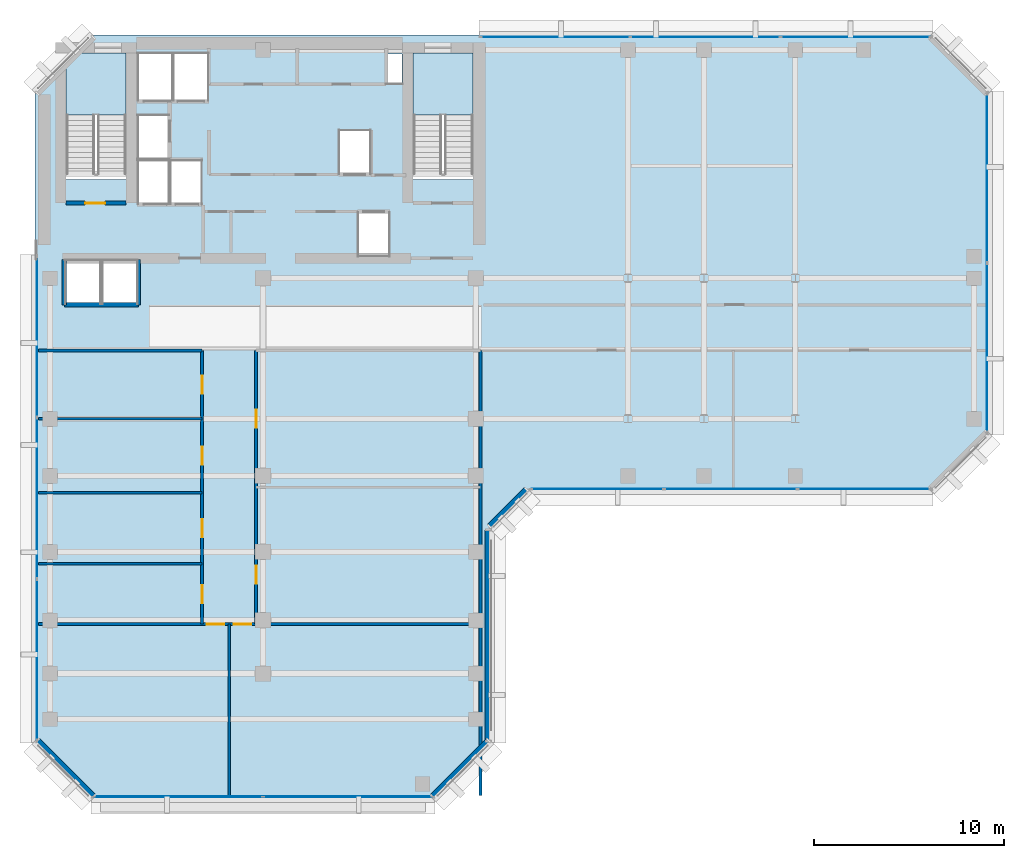
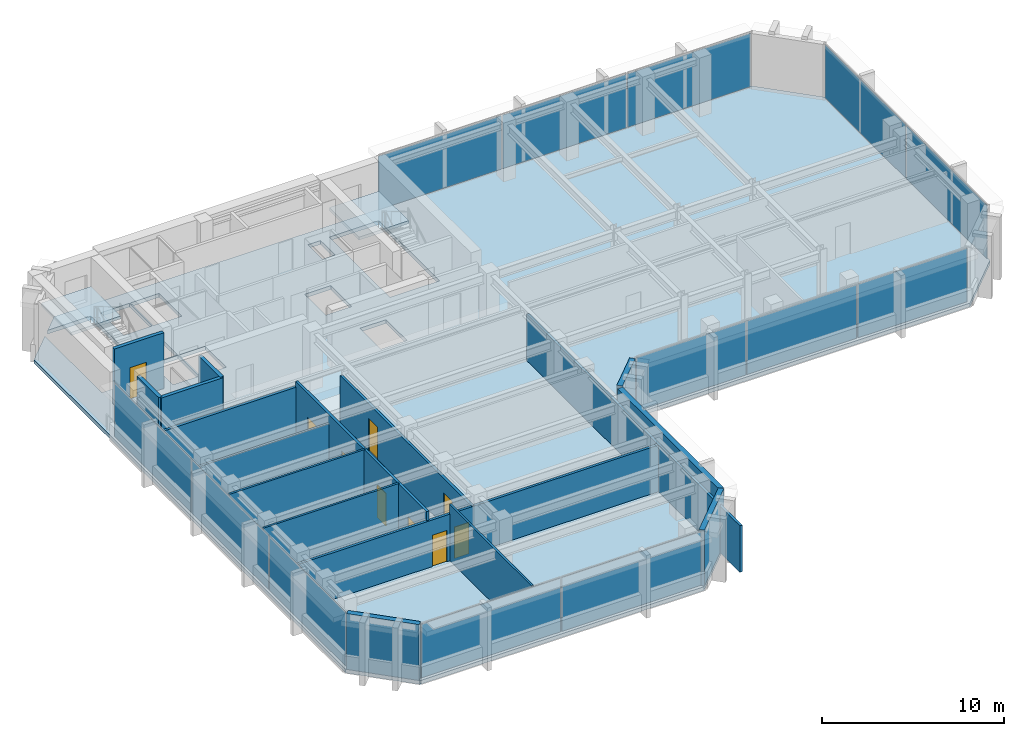
# One storey, part 6 of 12: 17 walls, 13 plates, 9 doors, 3 slabs, 9 openings, 7 elements without a shape of their own.
"""IFC4 building model written with IfcOpenShell, lengths in metres."""

from ifc_helpers import new_model, si_unit, direction, frame, frame_2d, origin, origin_2d, place, context, subcontext, project, spatial, polyline, rectangle, outline, extrude, material, layer, layer_set, type_object, element, fill, aggregate, save


model = new_model("IFC4")

# Units and contexts
model_context = context("Model", 3, precision=1e-05, world=origin(), true_north=direction((0.0, 1.0)))
body_context = subcontext(model_context, "Body", "Model", "MODEL_VIEW")
ifc_project = project(units=[si_unit("LENGTHUNIT", "METRE"), si_unit("AREAUNIT", "SQUARE_METRE"), si_unit("VOLUMEUNIT", "CUBIC_METRE"), si_unit("PLANEANGLEUNIT", "RADIAN"), si_unit("MASSUNIT", "GRAM", prefix="KILO")], contexts=[model_context])

# Site, building, storey
site_placement = place(None, origin())
site = spatial("IfcSite", under=ifc_project, at=site_placement, CompositionType="ELEMENT")
building_placement = place(site_placement, origin())
building = spatial("IfcBuilding", under=site, at=building_placement, Name="Kefirva Bronze Tower", CompositionType="ELEMENT")
storey_placement = place(building_placement, frame((0.0, 0.0, 268.2900390625)))
storey = spatial("IfcBuildingStorey", under=building, at=storey_placement, Name="L65", CompositionType="ELEMENT", Elevation=268.2900390625)

# Stair, slab
ifc_material_1 = material(Name="Concrete C40/50", Category="concrete")
stair_type = type_object("IfcStairType", Name="RC Dogleg Protected Stair 24R", PredefinedType="HALF_TURN_STAIR", material=ifc_material_1)
stair_1_placement = place(storey_placement, origin())
stair_1 = element("IfcStair", 1, at=stair_1_placement, inside=storey, type_object=stair_type, Name="L65 Protected Exit Stair 1", PredefinedType="HALF_TURN_STAIR")
ifc_layer_1 = layer(ifc_material_1, 0.199951171875, Name="Concrete C40/50")
ifc_layer_set_1 = layer_set([ifc_layer_1], Name="Concrete C40/50")
slab_type_1 = type_object("IfcSlabType", Name="RC Stair Landing Slab 200mm", PredefinedType="LANDING", material=ifc_layer_set_1)
slab_1_placement = place(storey_placement, frame((0.0, 0.0, 1.780029296875)))
slab_1 = element("IfcSlab", 2, at=slab_1_placement, type_object=slab_type_1, Name="ST-1 landing 1", PredefinedType="LANDING", context=body_context, shape_type="SweptSolid", body=[
    extrude(outline(polyline([(4.800048828125, 41.780029296875), (4.800048828125, 45.050048828125), (1.64990234375, 45.050048828125), (1.64990234375, 41.780029296875), (4.800048828125, 41.780029296875)])), origin(), (0.0, 0.0, 1.0), 0.199951171875),
])
aggregate(stair_1, [slab_1])

stair_2_placement = place(storey_placement, origin())
stair_2 = element("IfcStair", 3, at=stair_2_placement, inside=storey, type_object=stair_type, Name="L65 Protected Exit Stair 2", PredefinedType="HALF_TURN_STAIR")
slab_2_placement = place(storey_placement, frame((0.0, 0.0, 1.780029296875)))
slab_2 = element("IfcSlab", 4, at=slab_2_placement, type_object=slab_type_1, Name="ST-2 landing 1", PredefinedType="LANDING", context=body_context, shape_type="SweptSolid", body=[
    extrude(outline(polyline([(23.050048828125, 41.780029296875), (23.050048828125, 45.050048828125), (19.89990234375, 45.050048828125), (19.89990234375, 41.780029296875), (23.050048828125, 41.780029296875)])), origin(), (0.0, 0.0, 1.0), 0.199951171875),
])
aggregate(stair_2, [slab_2])

# Slab
ifc_layer_2 = layer(ifc_material_1, 0.25, Name="Concrete C40/50")
ifc_layer_set_2 = layer_set([ifc_layer_2], Name="Concrete C40/50")
slab_type_2 = type_object("IfcSlabType", Name="RC Tower Floor Slab 250mm", PredefinedType="FLOOR", material=ifc_layer_set_2)
slab_3_placement = place(storey_placement, frame((0.0, 0.0, -0.25)))
element("IfcSlab", 5, at=slab_3_placement, inside=storey, type_object=slab_type_2, Name="L65 Structural Floor Slab", PredefinedType="FLOOR", context=body_context, shape_type="SweptSolid", body=[
    extrude(outline(polyline([(0.0, 8.800048828125), (0.0, 43.0), (1.64990234375, 44.64990234375), (1.64990234375, 38.39990234375), (4.800048828125, 38.39990234375), (4.800048828125, 45.050048828125), (2.050048828125, 45.050048828125), (3.0, 46.0), (47.199951171875, 46.0), (50.199951171875, 43.0), (50.199951171875, 25.0), (47.199951171875, 22.0), (26.0, 22.0), (24.0, 20.0), (24.0, 8.800048828125), (21.0, 5.800048828125), (3.0, 5.800048828125), (0.0, 8.800048828125)]), holes=[polyline([(23.050048828125, 45.050048828125), (19.89990234375, 45.050048828125), (19.89990234375, 38.39990234375), (23.050048828125, 38.39990234375), (23.050048828125, 45.050048828125)]), polyline([(19.320068359375, 43.419921875), (19.320068359375, 45.0), (18.52001953125, 45.0), (18.52001953125, 43.419921875), (19.320068359375, 43.419921875)]), polyline([(18.64990234375, 36.64990234375), (17.0, 36.64990234375), (17.0, 34.35009765625), (18.64990234375, 34.35009765625), (18.64990234375, 36.64990234375)]), polyline([(17.64990234375, 38.679931640625), (17.64990234375, 40.97998046875), (16.0, 40.97998046875), (16.0, 38.679931640625), (17.64990234375, 38.679931640625)]), polyline([(9.1201171875, 42.550048828125), (9.1201171875, 45.050048828125), (7.300048828125, 45.050048828125), (7.300048828125, 42.550048828125), (9.1201171875, 42.550048828125)]), polyline([(8.780029296875, 37.10009765625), (8.780029296875, 39.39990234375), (7.139892578125, 39.39990234375), (7.139892578125, 37.10009765625), (8.780029296875, 37.10009765625)]), polyline([(7.239990234375, 42.550048828125), (7.239990234375, 45.050048828125), (5.419921875, 45.050048828125), (5.419921875, 42.550048828125), (7.239990234375, 42.550048828125)]), polyline([(7.06005859375, 37.10009765625), (7.06005859375, 39.39990234375), (5.419921875, 39.39990234375), (5.419921875, 37.10009765625), (7.06005859375, 37.10009765625)]), polyline([(7.06005859375, 41.780029296875), (5.419921875, 41.780029296875), (5.419921875, 39.47998046875), (7.06005859375, 39.47998046875), (7.06005859375, 41.780029296875)]), polyline([(5.39990234375, 31.85009765625), (5.39990234375, 34.14990234375), (3.550048828125, 34.14990234375), (3.550048828125, 31.85009765625), (5.39990234375, 31.85009765625)]), polyline([(3.449951171875, 34.14990234375), (1.60009765625, 34.14990234375), (1.60009765625, 31.85009765625), (3.449951171875, 31.85009765625), (3.449951171875, 34.14990234375)])]), origin(), (0.0, 0.0, 1.0), 0.25),
])

# Curtain wall, plates
ifc_material_2 = material(Name="Bronze anodised aluminium", Category="aluminium")
ifc_layer_3 = layer(ifc_material_2, 0.179931640625, Name="Bronze anodised aluminium")
ifc_layer_set_3 = layer_set([ifc_layer_3], Name="Bronze anodised aluminium")
curtain_wall_type = type_object("IfcCurtainWallType", Name="Unitised Bronze Ribbon Curtain Wall Zone 3", PredefinedType="USERDEFINED", material=ifc_layer_set_3)
curtain_wall_1_placement = place(storey_placement, origin())
curtain_wall_1 = element("IfcCurtainWall", 6, at=curtain_wall_1_placement, inside=storey, type_object=curtain_wall_type, Name="L65 Curtain Wall 1", ObjectType="UNITISED CURTAIN WALL", PredefinedType="USERDEFINED")
ifc_material_3 = material(Name="Laminated low-E double glazing", Category="glass")
ifc_layer_4 = layer(ifc_material_3, 0.031982421875, Name="Laminated low-E double glazing")
ifc_layer_set_4 = layer_set([ifc_layer_4], Name="Laminated low-E double glazing")
plate_type = type_object("IfcPlateType", Name="Solar-Control Low-E Vision Panel 32mm", PredefinedType="CURTAIN_PANEL", material=ifc_layer_set_4)
plate_1_placement = place(storey_placement, frame((7.546142578125, 5.919921875, 0.07470703125), z_axis=(0.0, 0.0, 1.0), x_axis=(1.0, 0.0, 0.0)))
plate_1 = element("IfcPlate", 7, at=plate_1_placement, type_object=plate_type, Name="CW-03 panel 1.1", PredefinedType="CURTAIN_PANEL", context=body_context, shape_type="SweptSolid", body=[
    extrude(rectangle(XDim=8.83251953125, YDim=0.031982421875, at=origin_2d()), origin(), (0.0, 0.0, 1.0), 3.590087890625),
])
plate_2_placement = place(storey_placement, frame((16.453857421875, 5.919921875, 0.07470703125), z_axis=(0.0, 0.0, 1.0), x_axis=(1.0, 0.0, 0.0)))
plate_2 = element("IfcPlate", 8, at=plate_2_placement, type_object=plate_type, Name="CW-03 panel 2.1", PredefinedType="CURTAIN_PANEL", context=body_context, shape_type="SweptSolid", body=[
    extrude(rectangle(XDim=8.83251953125, YDim=0.031982421875, at=origin_2d()), origin(), (0.0, 0.0, 1.0), 3.590087890625),
])
aggregate(curtain_wall_1, [plate_1, plate_2])

curtain_wall_2_placement = place(storey_placement, origin())
curtain_wall_2 = element("IfcCurtainWall", 9, at=curtain_wall_2_placement, inside=storey, type_object=curtain_wall_type, Name="L65 Curtain Wall 2", ObjectType="UNITISED CURTAIN WALL", PredefinedType="USERDEFINED")
plate_3_placement = place(storey_placement, frame((29.5888671875, 22.1201171875, 0.07470703125), z_axis=(0.0, 0.0, 1.0), x_axis=(1.0, 0.0, 0.0)))
plate_3 = element("IfcPlate", 10, at=plate_3_placement, type_object=plate_type, Name="CW-03 panel 1.1", PredefinedType="CURTAIN_PANEL", context=body_context, shape_type="SweptSolid", body=[
    extrude(rectangle(XDim=6.91748046875, YDim=0.031982421875, at=origin_2d()), origin(), (0.0, 0.0, 1.0), 3.590087890625),
])
plate_4_placement = place(storey_placement, frame((36.60009765625, 22.1201171875, 0.07470703125), z_axis=(0.0, 0.0, 1.0), x_axis=(1.0, 0.0, 0.0)))
plate_4 = element("IfcPlate", 11, at=plate_4_placement, type_object=plate_type, Name="CW-03 panel 2.1", PredefinedType="CURTAIN_PANEL", context=body_context, shape_type="SweptSolid", body=[
    extrude(rectangle(XDim=6.955078125, YDim=0.031982421875, at=origin_2d()), origin(), (0.0, 0.0, 1.0), 3.590087890625),
])
plate_5_placement = place(storey_placement, frame((43.611328125, 22.1201171875, 0.07470703125), z_axis=(0.0, 0.0, 1.0), x_axis=(1.0, 0.0, 0.0)))
plate_5 = element("IfcPlate", 12, at=plate_5_placement, type_object=plate_type, Name="CW-03 panel 3.1", PredefinedType="CURTAIN_PANEL", context=body_context, shape_type="SweptSolid", body=[
    extrude(rectangle(XDim=6.91748046875, YDim=0.031982421875, at=origin_2d()), origin(), (0.0, 0.0, 1.0), 3.590087890625),
])
aggregate(curtain_wall_2, [plate_3, plate_4, plate_5])

curtain_wall_3_placement = place(storey_placement, origin())
curtain_wall_3 = element("IfcCurtainWall", 13, at=curtain_wall_3_placement, inside=storey, type_object=curtain_wall_type, Name="L65 Curtain Wall 3", ObjectType="UNITISED CURTAIN WALL", PredefinedType="USERDEFINED")
plate_6_placement = place(storey_placement, frame((50.080078125, 29.546142578125, 0.07470703125), z_axis=(0.0, 0.0, 1.0), x_axis=(0.0, 1.0, 0.0)))
plate_6 = element("IfcPlate", 14, at=plate_6_placement, type_object=plate_type, Name="CW-03 panel 1.1", PredefinedType="CURTAIN_PANEL", context=body_context, shape_type="SweptSolid", body=[
    extrude(rectangle(XDim=8.83251953125, YDim=0.031982421875, at=origin_2d()), origin(), (0.0, 0.0, 1.0), 3.590087890625),
])
plate_7_placement = place(storey_placement, frame((50.080078125, 38.453857421875, 0.07470703125), z_axis=(0.0, 0.0, 1.0), x_axis=(0.0, 1.0, 0.0)))
plate_7 = element("IfcPlate", 15, at=plate_7_placement, type_object=plate_type, Name="CW-03 panel 2.1", PredefinedType="CURTAIN_PANEL", context=body_context, shape_type="SweptSolid", body=[
    extrude(rectangle(XDim=8.83251953125, YDim=0.031982421875, at=origin_2d()), origin(), (0.0, 0.0, 1.0), 3.590087890625),
])
aggregate(curtain_wall_3, [plate_6, plate_7])

curtain_wall_4_placement = place(storey_placement, origin())
curtain_wall_4 = element("IfcCurtainWall", 16, at=curtain_wall_4_placement, inside=storey, type_object=curtain_wall_type, Name="L65 Curtain Wall 4", ObjectType="UNITISED CURTAIN WALL", PredefinedType="USERDEFINED")
plate_8_placement = place(storey_placement, frame((43.169677734375, 45.8798828125, 0.07470703125), z_axis=(0.0, 0.0, 1.0), x_axis=(-1.0, 0.0, 0.0)))
plate_8 = element("IfcPlate", 17, at=plate_8_placement, type_object=plate_type, Name="CW-03 panel 1.1", PredefinedType="CURTAIN_PANEL", context=body_context, shape_type="SweptSolid", body=[
    extrude(rectangle(XDim=7.80078125, YDim=0.031982421875, at=origin_2d()), origin(), (0.0, 0.0, 1.0), 3.590087890625),
])
plate_9_placement = place(storey_placement, frame((35.27490234375, 45.8798828125, 0.07470703125), z_axis=(0.0, 0.0, 1.0), x_axis=(-1.0, 0.0, 0.0)))
plate_9 = element("IfcPlate", 18, at=plate_9_placement, type_object=plate_type, Name="CW-03 panel 2.1", PredefinedType="CURTAIN_PANEL", context=body_context, shape_type="SweptSolid", body=[
    extrude(rectangle(XDim=7.83837890625, YDim=0.031982421875, at=origin_2d()), origin(), (0.0, 0.0, 1.0), 3.590087890625),
])
plate_10_placement = place(storey_placement, frame((27.38037109375, 45.8798828125, 0.07470703125), z_axis=(0.0, 0.0, 1.0), x_axis=(-1.0, 0.0, 0.0)))
plate_10 = element("IfcPlate", 19, at=plate_10_placement, type_object=plate_type, Name="CW-03 panel 3.1", PredefinedType="CURTAIN_PANEL", context=body_context, shape_type="SweptSolid", body=[
    extrude(rectangle(XDim=7.80078125, YDim=0.031982421875, at=origin_2d()), origin(), (0.0, 0.0, 1.0), 3.590087890625),
])
aggregate(curtain_wall_4, [plate_8, plate_9, plate_10])

curtain_wall_5_placement = place(storey_placement, origin())
curtain_wall_5 = element("IfcCurtainWall", 20, at=curtain_wall_5_placement, inside=storey, type_object=curtain_wall_type, Name="L65 Curtain Wall 5", ObjectType="UNITISED CURTAIN WALL", PredefinedType="USERDEFINED")
plate_11_placement = place(storey_placement, frame((0.1201171875, 30.11962890625, 0.07470703125), z_axis=(0.0, 0.0, 1.0), x_axis=(0.0, -1.0, 0.0)))
plate_11 = element("IfcPlate", 21, at=plate_11_placement, type_object=plate_type, Name="CW-03 panel 1.1", PredefinedType="CURTAIN_PANEL", context=body_context, shape_type="SweptSolid", body=[
    extrude(rectangle(XDim=8.40087890625, YDim=0.031982421875, at=origin_2d()), origin(), (0.0, 0.0, 1.0), 3.590087890625),
])
plate_12_placement = place(storey_placement, frame((0.1201171875, 21.625, 0.07470703125), z_axis=(0.0, 0.0, 1.0), x_axis=(0.0, -1.0, 0.0)))
plate_12 = element("IfcPlate", 22, at=plate_12_placement, type_object=plate_type, Name="CW-03 panel 2.1", PredefinedType="CURTAIN_PANEL", context=body_context, shape_type="SweptSolid", body=[
    extrude(rectangle(XDim=8.438232421875, YDim=0.031982421875, at=origin_2d()), origin(), (0.0, 0.0, 1.0), 3.590087890625),
])
plate_13_placement = place(storey_placement, frame((0.1201171875, 13.13037109375, 0.07470703125), z_axis=(0.0, 0.0, 1.0), x_axis=(0.0, -1.0, 0.0)))
plate_13 = element("IfcPlate", 23, at=plate_13_placement, type_object=plate_type, Name="CW-03 panel 3.1", PredefinedType="CURTAIN_PANEL", context=body_context, shape_type="SweptSolid", body=[
    extrude(rectangle(XDim=8.40087890625, YDim=0.031982421875, at=origin_2d()), origin(), (0.0, 0.0, 1.0), 3.590087890625),
])
aggregate(curtain_wall_5, [plate_11, plate_12, plate_13])

# Walls
ifc_material_4 = material(Name="Gypsum acoustic partition")
ifc_layer_5 = layer(ifc_material_4, 0.1298828125, Name="Gypsum acoustic partition")
ifc_layer_set_5 = layer_set([ifc_layer_5], Name="Gypsum acoustic partition")
wall_type_1 = type_object("IfcWallType", Name="Acoustic Office Partition 130mm", PredefinedType="PARTITIONING", material=ifc_layer_set_5)
wall_1_placement = place(storey_placement, frame((10.219970703125, 5.989990234375, 0.0), z_axis=(0.0, 0.0, 1.0), x_axis=(0.0, 1.0, 0.0)))
element("IfcWall", 24, at=wall_1_placement, inside=storey, type_object=wall_type_1, Name="L65 Partition W-L65-CAPDV", PredefinedType="PARTITIONING", context=body_context, shape_type="SweptSolid", body=[
    extrude(rectangle(XDim=9.010009765625, YDim=0.1298828125, at=frame_2d((4.5048828125, 0.0))), origin(), (0.0, 0.0, 1.0), 3.739990234375),
])
for number, where, z_axis, x_axis, name in (
    (25, (0.18994140625, 18.16796875, 0.0), (0.0, 0.0, 1.0), (1.0, 0.0, 0.0), "L65 Partition W-L65-SWD1"),
    (26, (0.18994140625, 21.912109375, 0.0), (0.0, 0.0, 1.0), (1.0, 0.0, 0.0), "L65 Partition W-L65-SWD2"),
):
    element("IfcWall", number, at=place(storey_placement, frame(where, z_axis=z_axis, x_axis=x_axis)), inside=storey, type_object=wall_type_1, Name=name, PredefinedType="PARTITIONING", context=body_context, shape_type="SweptSolid", body=[
        extrude(rectangle(XDim=8.610107421875, YDim=0.1298828125, at=frame_2d((4.30517578125, 0.0))), origin(), (0.0, 0.0, 1.0), 3.739990234375),
    ])
wall_2_placement = place(storey_placement, frame((0.18994140625, 25.800048828125, 0.0), z_axis=(0.0, 0.0, 1.0), x_axis=(1.0, 0.0, 0.0)))
element("IfcWall", 27, at=wall_2_placement, inside=storey, type_object=wall_type_1, Name="L65 Partition W-L65-SWD3", PredefinedType="PARTITIONING", context=body_context, shape_type="SweptSolid", body=[
    extrude(rectangle(XDim=8.610107421875, YDim=0.1298828125, at=frame_2d((4.30517578125, 0.0))), origin(), (0.0, 0.0, 1.0), 3.125),
])

# Wall, opening, door
ifc_material_5 = material(Name="Gypsum fireboard shaftwall")
ifc_layer_6 = layer(ifc_material_5, 0.219970703125, Name="Gypsum fireboard shaftwall")
ifc_layer_set_6 = layer_set([ifc_layer_6], Name="Gypsum fireboard shaftwall")
wall_type_2 = type_object("IfcWallType", Name="Fire-Rated Shaft Enclosure Wall 220mm", PredefinedType="PARTITIONING", material=ifc_layer_set_6)
wall_3_placement = place(storey_placement, frame((1.64990234375, 37.14990234375, 0.0), z_axis=(0.0, 0.0, 1.0), x_axis=(1.0, 0.0, 0.0)))
wall_3 = element("IfcWall", 28, at=wall_3_placement, inside=storey, type_object=wall_type_2, Name="L65 Partition W-L65-ST1S", PredefinedType="PARTITIONING", context=body_context, shape_type="SweptSolid", body=[
    extrude(rectangle(XDim=3.150146484375, YDim=0.219970703125, at=frame_2d((1.5751953125, 0.0))), origin(), (0.0, 0.0, 1.0), 3.739990234375),
])
opening_1_placement = place(wall_3_placement, frame((2.050048828125, 0.0, 0.0), z_axis=(0.0, 0.0, 1.0), x_axis=(-1.0, 0.0, 0.0)))
opening_1 = element("IfcOpeningElement", 29, at=opening_1_placement, cuts=wall_3, Name="Opening L65-D001", PredefinedType="OPENING", context=body_context, shape_type="SweptSolid", body=[
    extrude(rectangle(XDim=1.050048828125, YDim=2.14990234375, at=frame_2d((0.52490234375, 1.074951171875))), frame((0.0, 0.1201171875, 0.0), z_axis=(0.0, -1.0, 0.0), x_axis=(1.0, 0.0, 0.0)), (0.0, 0.0, 1.0), 0.239990234375),
])
ifc_material_6 = material(Name="Painted galvanized steel", Category="steel")
door_type_1 = type_object("IfcDoorType", Name="Fire Stair Enclosure Door 1050x2150 FD90S", OperationType="NOTDEFINED", PredefinedType="DOOR", material=ifc_material_6)
door_1_placement = place(opening_1_placement, origin())
door_1 = element("IfcDoor", 30, at=door_1_placement, inside=storey, type_object=door_type_1, Name="Door L65-D001", OperationType="SINGLE_SWING_LEFT", OverallHeight=2.14990234375, OverallWidth=1.050048828125, PredefinedType="DOOR", context=body_context, shape_type="SweptSolid", body=[
    extrude(rectangle(XDim=1.050048828125, YDim=2.14990234375, at=frame_2d((0.52490234375, 1.074951171875))), frame((0.0, 0.02490234375, 0.0), z_axis=(0.0, -1.0, 0.0), x_axis=(1.0, 0.0, 0.0)), (0.0, 0.0, 1.0), 0.050048828125),
])
fill(opening_1, door_1)

# Walls
wall_4_placement = place(storey_placement, frame((1.550048828125, 31.800048828125, 0.0), z_axis=(0.0, 0.0, 1.0), x_axis=(1.0, 0.0, 0.0)))
element("IfcWall", 31, at=wall_4_placement, inside=storey, type_object=wall_type_2, Name="L65 Partition W-L65-OBS", PredefinedType="PARTITIONING", context=body_context, shape_type="SweptSolid", body=[
    extrude(rectangle(XDim=3.89990234375, YDim=0.219970703125, at=frame_2d((1.949951171875, 0.0))), origin(), (0.0, 0.0, 1.0), 3.739990234375),
])
for number, where, z_axis, x_axis, name in (
    (32, (1.550048828125, 31.800048828125, 0.0), (0.0, 0.0, 1.0), (0.0, 1.0, 0.0), "L65 Partition W-L65-OBW"),
    (33, (5.449951171875, 31.800048828125, 0.0), (0.0, 0.0, 1.0), (0.0, 1.0, 0.0), "L65 Partition W-L65-OBE"),
):
    element("IfcWall", number, at=place(storey_placement, frame(where, z_axis=z_axis, x_axis=x_axis)), inside=storey, type_object=wall_type_2, Name=name, PredefinedType="PARTITIONING", context=body_context, shape_type="SweptSolid", body=[
        extrude(rectangle(XDim=2.3798828125, YDim=0.219970703125, at=frame_2d((1.18994140625, 0.0))), origin(), (0.0, 0.0, 1.0), 3.739990234375),
    ])
ifc_material_7 = material(Name="Precast concrete C40/50", Category="concrete")
ifc_layer_7 = layer(ifc_material_7, 0.320068359375, Name="Precast concrete C40/50")
ifc_layer_set_7 = layer_set([ifc_layer_7], Name="Precast concrete C40/50")
wall_type_3 = type_object("IfcWallType", Name="Precast Insulated Exterior Wall 320mm", PredefinedType="SOLIDWALL", material=ifc_layer_set_7)
wall_5_placement = place(storey_placement, frame((20.92578125, 5.951904296875, 0.0), z_axis=(0.0, 0.0, 1.0), x_axis=(0.707077242712, 0.707136318428, 0.0)))
element("IfcWall", 34, at=wall_5_placement, inside=storey, type_object=wall_type_3, Name="L65 Exterior Facade Wall 1", PredefinedType="SOLIDWALL", context=body_context, shape_type="SweptSolid", body=[
    extrude(rectangle(XDim=4.132568359375, YDim=0.320068359375, at=frame_2d((2.06640625, 0.0))), origin(), (0.0, 0.0, 1.0), 3.739990234375),
])
wall_6_placement = place(storey_placement, frame((23.840087890625, 8.85498046875, 0.0), z_axis=(0.0, 0.0, 1.0), x_axis=(0.0, 1.0, 0.0)))
element("IfcWall", 35, at=wall_6_placement, inside=storey, type_object=wall_type_3, Name="L65 Exterior Facade Wall 2", PredefinedType="SOLIDWALL", context=body_context, shape_type="SweptSolid", body=[
    extrude(rectangle(XDim=11.090087890625, YDim=0.320068359375, at=frame_2d((5.544921875, 0.0))), origin(), (0.0, 0.0, 1.0), 3.739990234375),
])
wall_7_placement = place(storey_placement, frame((23.92578125, 20.152099609375, 0.0), z_axis=(0.0, 0.0, 1.0), x_axis=(0.707106781187, 0.707106781187, 0.0)))
element("IfcWall", 36, at=wall_7_placement, inside=storey, type_object=wall_type_3, Name="L65 Exterior Facade Wall 3", PredefinedType="SOLIDWALL", context=body_context, shape_type="SweptSolid", body=[
    extrude(rectangle(XDim=2.71826171875, YDim=0.320068359375, at=frame_2d((1.359130859375, 0.0))), origin(), (0.0, 0.0, 1.0), 3.739990234375),
])
wall_8_placement = place(storey_placement, frame((0.152099609375, 8.874267578125, 0.0), z_axis=(0.0, 0.0, 1.0), x_axis=(0.707077242712, -0.707136318428, 0.0)))
element("IfcWall", 37, at=wall_8_placement, inside=storey, type_object=wall_type_3, Name="L65 Exterior Facade Wall 7", PredefinedType="SOLIDWALL", context=body_context, shape_type="SweptSolid", body=[
    extrude(rectangle(XDim=4.132568359375, YDim=0.320068359375, at=frame_2d((2.06640625, 0.0))), origin(), (0.0, 0.0, 1.0), 3.739990234375),
])

# Wall, openings, doors
ifc_layer_8 = layer(ifc_material_4, 0.159912109375, Name="Gypsum acoustic partition")
ifc_layer_set_8 = layer_set([ifc_layer_8], Name="Gypsum acoustic partition")
wall_type_4 = type_object("IfcWallType", Name="Protected Corridor Partition 160mm", PredefinedType="PARTITIONING", material=ifc_layer_set_8)
wall_9_placement = place(storey_placement, frame((8.800048828125, 15.0, 0.0), z_axis=(0.0, 0.0, 1.0), x_axis=(0.0, 1.0, 0.0)))
wall_9 = element("IfcWall", 38, at=wall_9_placement, inside=storey, type_object=wall_type_4, Name="L65 Partition W-L65-SWCORW", PredefinedType="PARTITIONING", context=body_context, shape_type="SweptSolid", body=[
    extrude(rectangle(XDim=14.39990234375, YDim=0.159912109375, at=frame_2d((7.199951171875, 0.0))), origin(), (0.0, 0.0, 1.0), 3.739990234375),
])
opening_2_placement = place(wall_9_placement, frame((2.058837890625, 0.0, 0.0), z_axis=(0.0, 0.0, 1.0), x_axis=(-1.0, 0.0, 0.0)))
opening_2 = element("IfcOpeningElement", 39, at=opening_2_placement, cuts=wall_9, Name="Opening L65-D-SW1", PredefinedType="OPENING", context=body_context, shape_type="SweptSolid", body=[
    extrude(rectangle(XDim=0.949951171875, YDim=2.14990234375, at=frame_2d((0.47509765625, 1.074951171875))), frame((0.0, 0.08984375, 0.0), z_axis=(0.0, -1.0, 0.0), x_axis=(1.0, 0.0, 0.0)), (0.0, 0.0, 1.0), 0.179931640625),
])
opening_3_placement = place(wall_9_placement, frame((5.514892578125, 0.0, 0.0), z_axis=(0.0, 0.0, 1.0), x_axis=(-1.0, 0.0, 0.0)))
opening_3 = element("IfcOpeningElement", 40, at=opening_3_placement, cuts=wall_9, Name="Opening L65-D-SW2", PredefinedType="OPENING", context=body_context, shape_type="SweptSolid", body=[
    extrude(rectangle(XDim=0.949951171875, YDim=2.14990234375, at=frame_2d((0.47509765625, 1.074951171875))), frame((0.0, 0.08984375, 0.0), z_axis=(0.0, -1.0, 0.0), x_axis=(1.0, 0.0, 0.0)), (0.0, 0.0, 1.0), 0.179931640625),
])
opening_4_placement = place(wall_9_placement, frame((9.3310546875, 0.0, 0.0), z_axis=(0.0, 0.0, 1.0), x_axis=(-1.0, 0.0, 0.0)))
opening_4 = element("IfcOpeningElement", 41, at=opening_4_placement, cuts=wall_9, Name="Opening L65-D-SW3", PredefinedType="OPENING", context=body_context, shape_type="SweptSolid", body=[
    extrude(rectangle(XDim=0.949951171875, YDim=2.14990234375, at=frame_2d((0.47509765625, 1.074951171875))), frame((0.0, 0.08984375, 0.0), z_axis=(0.0, -1.0, 0.0), x_axis=(1.0, 0.0, 0.0)), (0.0, 0.0, 1.0), 0.179931640625),
])
opening_5_placement = place(wall_9_placement, frame((13.074951171875, 0.0, 0.0), z_axis=(0.0, 0.0, 1.0), x_axis=(-1.0, 0.0, 0.0)))
opening_5 = element("IfcOpeningElement", 42, at=opening_5_placement, cuts=wall_9, Name="Opening L65-D-SW4", PredefinedType="OPENING", context=body_context, shape_type="SweptSolid", body=[
    extrude(rectangle(XDim=0.949951171875, YDim=2.14990234375, at=frame_2d((0.47509765625, 1.074951171875))), frame((0.0, 0.08984375, 0.0), z_axis=(0.0, -1.0, 0.0), x_axis=(1.0, 0.0, 0.0)), (0.0, 0.0, 1.0), 0.179931640625),
])
ifc_material_8 = material(Name="Acoustic hardwood oak", Category="wood")
door_type_2 = type_object("IfcDoorType", Name="Office & Meeting Room Door 950x2150", OperationType="NOTDEFINED", PredefinedType="DOOR", material=ifc_material_8)
door_2_placement = place(opening_2_placement, origin())
door_2 = element("IfcDoor", 43, at=door_2_placement, inside=storey, type_object=door_type_2, Name="Door L65-D-SW1", OperationType="SINGLE_SWING_LEFT", OverallHeight=2.14990234375, OverallWidth=0.949951171875, PredefinedType="DOOR", context=body_context, shape_type="SweptSolid", body=[
    extrude(rectangle(XDim=0.949951171875, YDim=2.14990234375, at=frame_2d((0.47509765625, 1.074951171875))), frame((0.0, 0.02490234375, 0.0), z_axis=(0.0, -1.0, 0.0), x_axis=(1.0, 0.0, 0.0)), (0.0, 0.0, 1.0), 0.050048828125),
])
fill(opening_2, door_2)
door_3_placement = place(opening_3_placement, origin())
door_3 = element("IfcDoor", 44, at=door_3_placement, inside=storey, type_object=door_type_2, Name="Door L65-D-SW2", OperationType="SINGLE_SWING_RIGHT", OverallHeight=2.14990234375, OverallWidth=0.949951171875, PredefinedType="DOOR", context=body_context, shape_type="SweptSolid", body=[
    extrude(rectangle(XDim=0.949951171875, YDim=2.14990234375, at=frame_2d((0.47509765625, 1.074951171875))), frame((0.0, 0.02490234375, 0.0), z_axis=(0.0, -1.0, 0.0), x_axis=(1.0, 0.0, 0.0)), (0.0, 0.0, 1.0), 0.050048828125),
])
fill(opening_3, door_3)
door_4_placement = place(opening_4_placement, origin())
door_4 = element("IfcDoor", 45, at=door_4_placement, inside=storey, type_object=door_type_2, Name="Door L65-D-SW3", OperationType="SINGLE_SWING_LEFT", OverallHeight=2.14990234375, OverallWidth=0.949951171875, PredefinedType="DOOR", context=body_context, shape_type="SweptSolid", body=[
    extrude(rectangle(XDim=0.949951171875, YDim=2.14990234375, at=frame_2d((0.47509765625, 1.074951171875))), frame((0.0, 0.02490234375, 0.0), z_axis=(0.0, -1.0, 0.0), x_axis=(1.0, 0.0, 0.0)), (0.0, 0.0, 1.0), 0.050048828125),
])
fill(opening_4, door_4)
door_5_placement = place(opening_5_placement, origin())
door_5 = element("IfcDoor", 46, at=door_5_placement, inside=storey, type_object=door_type_2, Name="Door L65-D-SW4", OperationType="SINGLE_SWING_RIGHT", OverallHeight=2.14990234375, OverallWidth=0.949951171875, PredefinedType="DOOR", context=body_context, shape_type="SweptSolid", body=[
    extrude(rectangle(XDim=0.949951171875, YDim=2.14990234375, at=frame_2d((0.47509765625, 1.074951171875))), frame((0.0, 0.02490234375, 0.0), z_axis=(0.0, -1.0, 0.0), x_axis=(1.0, 0.0, 0.0)), (0.0, 0.0, 1.0), 0.050048828125),
])
fill(opening_5, door_5)

wall_10_placement = place(storey_placement, frame((11.639892578125, 15.0, 0.0), z_axis=(0.0, 0.0, 1.0), x_axis=(0.0, 1.0, 0.0)))
wall_10 = element("IfcWall", 47, at=wall_10_placement, inside=storey, type_object=wall_type_4, Name="L65 Partition W-L65-SECORE", PredefinedType="PARTITIONING", context=body_context, shape_type="SweptSolid", body=[
    extrude(rectangle(XDim=14.39990234375, YDim=0.159912109375, at=frame_2d((7.199951171875, 0.0))), origin(), (0.0, 0.0, 1.0), 3.125),
])
opening_6_placement = place(wall_10_placement, frame((2.125, 0.0, 0.0)))
opening_6 = element("IfcOpeningElement", 48, at=opening_6_placement, cuts=wall_10, Name="Opening L65-D-SE1", PredefinedType="OPENING", context=body_context, shape_type="SweptSolid", body=[
    extrude(rectangle(XDim=0.949951171875, YDim=2.14990234375, at=frame_2d((0.47509765625, 1.074951171875))), frame((0.0, 0.08984375, 0.0), z_axis=(0.0, -1.0, 0.0), x_axis=(1.0, 0.0, 0.0)), (0.0, 0.0, 1.0), 0.179931640625),
])
opening_7_placement = place(wall_10_placement, frame((10.324951171875, 0.0, 0.0)))
opening_7 = element("IfcOpeningElement", 49, at=opening_7_placement, cuts=wall_10, Name="Opening L65-D-SE2", PredefinedType="OPENING", context=body_context, shape_type="SweptSolid", body=[
    extrude(rectangle(XDim=0.949951171875, YDim=2.14990234375, at=frame_2d((0.47509765625, 1.074951171875))), frame((0.0, 0.08984375, 0.0), z_axis=(0.0, -1.0, 0.0), x_axis=(1.0, 0.0, 0.0)), (0.0, 0.0, 1.0), 0.179931640625),
])
door_6_placement = place(opening_6_placement, origin())
door_6 = element("IfcDoor", 50, at=door_6_placement, inside=storey, type_object=door_type_2, Name="Door L65-D-SE1", OperationType="SINGLE_SWING_LEFT", OverallHeight=2.14990234375, OverallWidth=0.949951171875, PredefinedType="DOOR", context=body_context, shape_type="SweptSolid", body=[
    extrude(rectangle(XDim=0.949951171875, YDim=2.14990234375, at=frame_2d((0.47509765625, 1.074951171875))), frame((0.0, 0.02490234375, 0.0), z_axis=(0.0, -1.0, 0.0), x_axis=(1.0, 0.0, 0.0)), (0.0, 0.0, 1.0), 0.050048828125),
])
fill(opening_6, door_6)
door_7_placement = place(opening_7_placement, origin())
door_7 = element("IfcDoor", 51, at=door_7_placement, inside=storey, type_object=door_type_2, Name="Door L65-D-SE2", OperationType="SINGLE_SWING_RIGHT", OverallHeight=2.14990234375, OverallWidth=0.949951171875, PredefinedType="DOOR", context=body_context, shape_type="SweptSolid", body=[
    extrude(rectangle(XDim=0.949951171875, YDim=2.14990234375, at=frame_2d((0.47509765625, 1.074951171875))), frame((0.0, 0.02490234375, 0.0), z_axis=(0.0, -1.0, 0.0), x_axis=(1.0, 0.0, 0.0)), (0.0, 0.0, 1.0), 0.050048828125),
])
fill(opening_7, door_7)

wall_11_placement = place(storey_placement, frame((0.18994140625, 15.0, 0.0), z_axis=(0.0, 0.0, 1.0), x_axis=(1.0, 0.0, 0.0)))
wall_11 = element("IfcWall", 52, at=wall_11_placement, inside=storey, type_object=wall_type_4, Name="L65 Partition W-L65-SBEND", PredefinedType="PARTITIONING", context=body_context, shape_type="SweptSolid", body=[
    extrude(rectangle(XDim=23.260009765625, YDim=0.159912109375, at=frame_2d((11.6298828125, 0.0))), origin(), (0.0, 0.0, 1.0), 3.125),
])
opening_8_placement = place(wall_11_placement, frame((8.860107421875, 0.0, 0.0)))
opening_8 = element("IfcOpeningElement", 53, at=opening_8_placement, cuts=wall_11, Name="Opening L65-D-SEND1", PredefinedType="OPENING", context=body_context, shape_type="SweptSolid", body=[
    extrude(rectangle(XDim=0.919921875, YDim=2.10009765625, at=frame_2d((0.4599609375, 1.050048828125))), frame((0.0, 0.08984375, 0.0), z_axis=(0.0, -1.0, 0.0), x_axis=(1.0, 0.0, 0.0)), (0.0, 0.0, 1.0), 0.179931640625),
])
opening_9_placement = place(wall_11_placement, frame((10.280029296875, 0.0, 0.0)))
opening_9 = element("IfcOpeningElement", 54, at=opening_9_placement, cuts=wall_11, Name="Opening L65-D-SEND2", PredefinedType="OPENING", context=body_context, shape_type="SweptSolid", body=[
    extrude(rectangle(XDim=0.919921875, YDim=2.10009765625, at=frame_2d((0.4599609375, 1.050048828125))), frame((0.0, 0.08984375, 0.0), z_axis=(0.0, -1.0, 0.0), x_axis=(1.0, 0.0, 0.0)), (0.0, 0.0, 1.0), 0.179931640625),
])
ifc_material_9 = material(Name="Moisture-resistant timber", Category="wood")
door_type_3 = type_object("IfcDoorType", Name="Accessible Sanitary & WC Door 920x2100", OperationType="NOTDEFINED", PredefinedType="DOOR", material=ifc_material_9)
door_8_placement = place(opening_8_placement, origin())
door_8 = element("IfcDoor", 55, at=door_8_placement, inside=storey, type_object=door_type_3, Name="Door L65-D-SEND1", OperationType="SINGLE_SWING_LEFT", OverallHeight=2.10009765625, OverallWidth=0.919921875, PredefinedType="DOOR", context=body_context, shape_type="SweptSolid", body=[
    extrude(rectangle(XDim=0.919921875, YDim=2.10009765625, at=frame_2d((0.4599609375, 1.050048828125))), frame((0.0, 0.02490234375, 0.0), z_axis=(0.0, -1.0, 0.0), x_axis=(1.0, 0.0, 0.0)), (0.0, 0.0, 1.0), 0.050048828125),
])
fill(opening_8, door_8)
door_9_placement = place(opening_9_placement, origin())
door_9 = element("IfcDoor", 56, at=door_9_placement, inside=storey, type_object=door_type_3, Name="Door L65-D-SEND2", OperationType="SINGLE_SWING_RIGHT", OverallHeight=2.10009765625, OverallWidth=0.919921875, PredefinedType="DOOR", context=body_context, shape_type="SweptSolid", body=[
    extrude(rectangle(XDim=0.919921875, YDim=2.10009765625, at=frame_2d((0.4599609375, 1.050048828125))), frame((0.0, 0.02490234375, 0.0), z_axis=(0.0, -1.0, 0.0), x_axis=(1.0, 0.0, 0.0)), (0.0, 0.0, 1.0), 0.050048828125),
])
fill(opening_9, door_9)

# Walls
wall_12_placement = place(storey_placement, frame((0.18994140625, 29.39990234375, 0.0), z_axis=(0.0, 0.0, 1.0), x_axis=(1.0, 0.0, 0.0)))
element("IfcWall", 57, at=wall_12_placement, inside=storey, type_object=wall_type_4, Name="L65 Partition W-L65-NWT", PredefinedType="PARTITIONING", context=body_context, shape_type="SweptSolid", body=[
    extrude(rectangle(XDim=8.610107421875, YDim=0.159912109375, at=frame_2d((4.30517578125, 0.0))), origin(), (0.0, 0.0, 1.0), 3.39501953125),
])
wall_13_placement = place(storey_placement, frame((23.449951171875, 5.989990234375, 0.0), z_axis=(0.0, 0.0, 1.0), x_axis=(0.0, 1.0, 0.0)))
element("IfcWall", 58, at=wall_13_placement, inside=storey, type_object=wall_type_4, Name="L65 Partition W-L65-SWEAST", PredefinedType="PARTITIONING", context=body_context, shape_type="SweptSolid", body=[
    extrude(rectangle(XDim=23.409912109375, YDim=0.159912109375, at=frame_2d((11.705078125, 0.0))), origin(), (0.0, 0.0, 1.0), 3.125),
])

save(model, "model.ifc")
